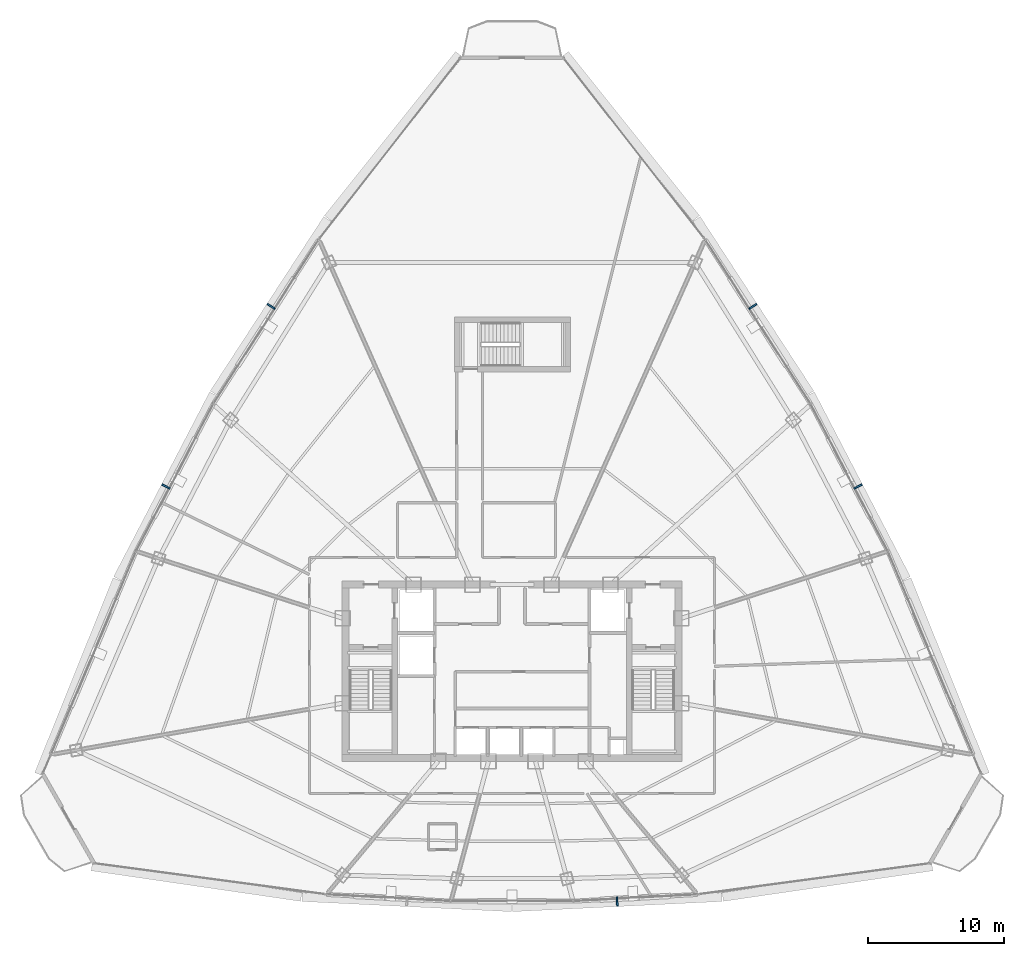
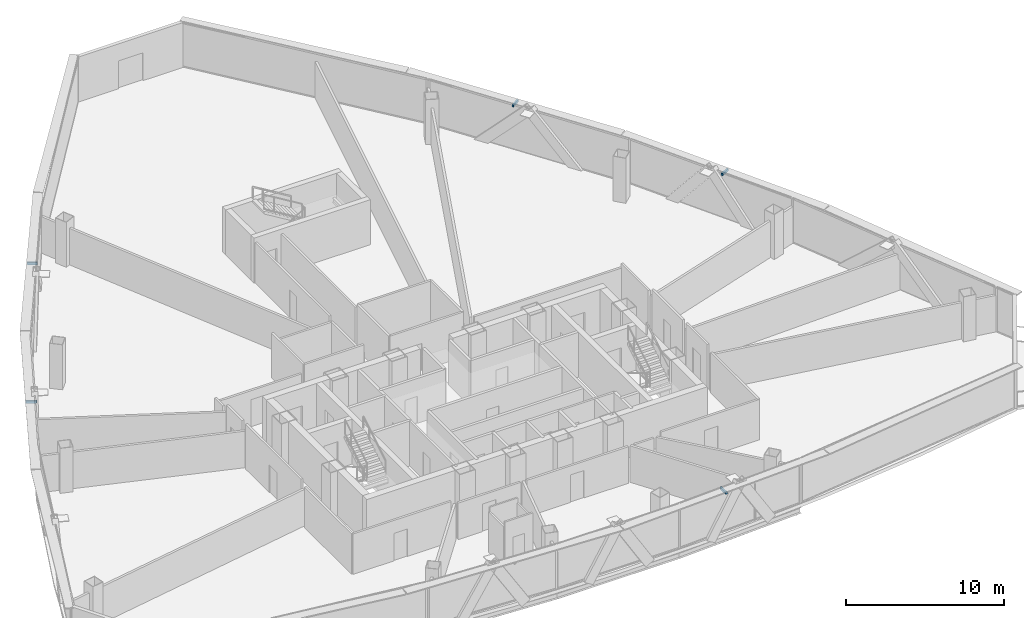
# One storey, part 33 of 37: 5 discrete accessories.
"""IFC4 building model written with IfcOpenShell, lengths in metres."""

from ifc_helpers import new_model, si_unit, direction, frame, origin, origin_2d, place, context, subcontext, project, spatial, rectangle, extrude, source, transform, mapped, material, type_object, element, save


model = new_model("IFC4")

# Units and contexts
model_context = context("Model", 3, precision=1e-05, world=origin(), true_north=direction((0.0, 1.0)))
body_context = subcontext(model_context, "Body", "Model", "MODEL_VIEW")
ifc_project = project(units=[si_unit("LENGTHUNIT", "METRE"), si_unit("AREAUNIT", "SQUARE_METRE"), si_unit("VOLUMEUNIT", "CUBIC_METRE"), si_unit("PLANEANGLEUNIT", "RADIAN"), si_unit("MASSUNIT", "GRAM", prefix="KILO"), si_unit("THERMODYNAMICTEMPERATUREUNIT", "KELVIN"), si_unit("POWERUNIT", "WATT")], contexts=[model_context])

# Site, building, storey
site_placement = place(None, origin())
site = spatial("IfcSite", under=ifc_project, at=site_placement, CompositionType="ELEMENT")
building_placement = place(site_placement, origin())
building = spatial("IfcBuilding", under=site, at=building_placement, Name="Yunzhuo Pagoda Commons", CompositionType="ELEMENT")
storey_placement = place(building_placement, frame((0.0, 0.0, 259.449951171875)))
storey = spatial("IfcBuildingStorey", under=building, at=storey_placement, Name="L65", CompositionType="ELEMENT", Elevation=259.449951171875)

# Discrete accessories
ifc_material = material(Name="Anodized aluminium 6063-T6", Category="aluminium")
discrete_accessory_type = type_object("IfcDiscreteAccessoryType", Name="BK-SUN1 Sunshade Outrigger Bracket", PredefinedType="BRACKET", material=ifc_material)
shared_shape = source(origin(), body_context, "Body", "SweptSolid", [
    extrude(rectangle(XDim=0.1201171875, YDim=0.679931640625, at=origin_2d()), origin(), (0.0, 0.0, 1.0), 0.179931640625),
])
for number, where, z_axis, x_axis, name in (
    (1, (55.704833984375, 16.972900390625, 3.26025390625), (0.0, 0.0, 1.0), (0.998818043775, 0.04860571396, 0.0), "L65 sunshade outrigger bracket F1.3"),
    (2, (73.35546875, 47.384521484375, 3.26025390625), (0.0, 0.0, 1.0), (-0.461206683033, 0.88729273384, 0.0), "L65 sunshade outrigger bracket F2.2"),
    (3, (65.650390625, 60.583984375, 3.26025390625), (0.0, 0.0, 1.0), (-0.545838756973, 0.837890238269, 0.0), "L65 sunshade outrigger bracket F2.3"),
    (4, (30.349609375, 60.583984375, 3.26025390625), (0.0, 0.0, 1.0), (-0.545838756973, -0.837890238269, 0.0), "L65 sunshade outrigger bracket F3.2"),
    (5, (22.64453125, 47.384521484375, 3.26025390625), (0.0, 0.0, 1.0), (-0.461206683033, -0.88729273384, 0.0), "L65 sunshade outrigger bracket F3.3"),
):
    element("IfcDiscreteAccessory", number, at=place(storey_placement, frame(where, z_axis=z_axis, x_axis=x_axis)), inside=storey, type_object=discrete_accessory_type, Name=name, PredefinedType="BRACKET", context=body_context, shape_type="MappedRepresentation", body=[
        mapped(shared_shape, transform((0.0, 0.0, 0.0), scale=1.0)),
    ])

save(model, "model.ifc")
